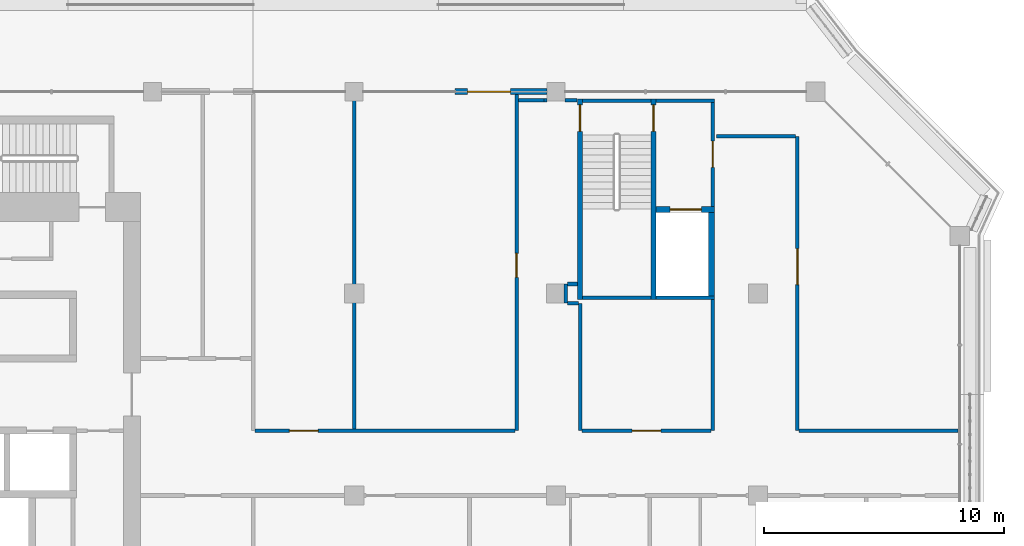
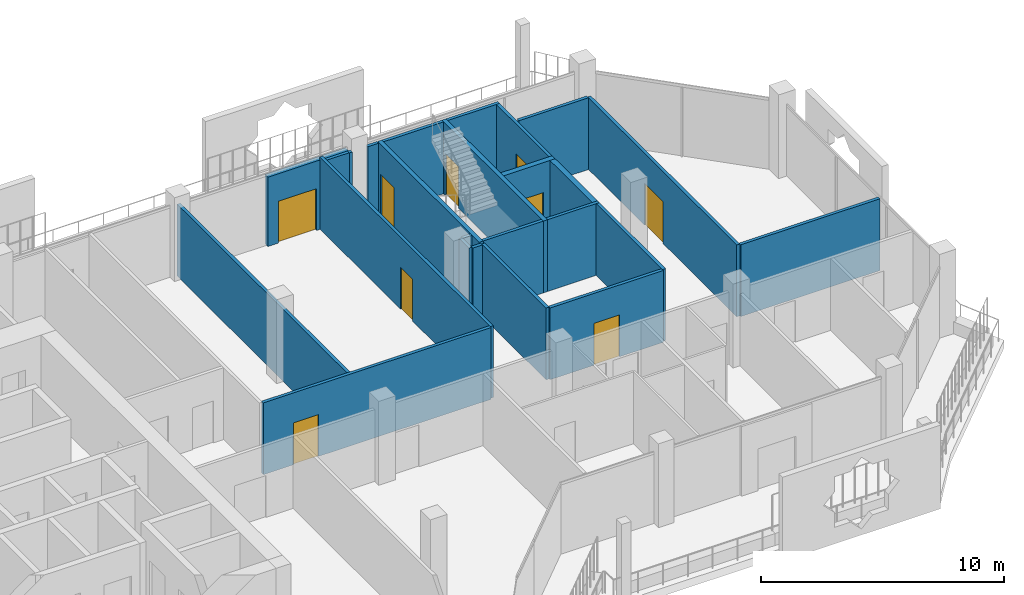
# One storey, part 13 of 21: 25 walls, 9 doors, 9 openings.
"""IFC4 building model written with IfcOpenShell, lengths in metres."""

from ifc_helpers import new_model, si_unit, direction, frame, frame_2d, origin, place, context, subcontext, project, spatial, rectangle, extrude, material, layer, layer_set, type_object, element, fill, save


model = new_model("IFC4")

# Units and contexts
model_context = context("Model", 3, precision=1e-05, world=origin(), true_north=direction((0.0, 1.0)))
body_context = subcontext(model_context, "Body", "Model", "MODEL_VIEW")
ifc_project = project(units=[si_unit("LENGTHUNIT", "METRE"), si_unit("AREAUNIT", "SQUARE_METRE"), si_unit("VOLUMEUNIT", "CUBIC_METRE"), si_unit("PLANEANGLEUNIT", "RADIAN"), si_unit("MASSUNIT", "GRAM", prefix="KILO")], contexts=[model_context])

# Site, building, storey
site_placement = place(None, origin())
site = spatial("IfcSite", under=ifc_project, at=site_placement, CompositionType="ELEMENT")
building_placement = place(site_placement, origin())
building = spatial("IfcBuilding", under=site, at=building_placement, Name="Kawkab Arch Medical Tower", CompositionType="ELEMENT")
storey_placement = place(building_placement, frame((0.0, 0.0, 315.39990234375)))
storey = spatial("IfcBuildingStorey", under=building, at=storey_placement, Name="L73", CompositionType="ELEMENT", Elevation=315.39990234375)

# Wall, opening, door
ifc_material_1 = material(Name="Gypsum board on steel studs", Category="steel")
ifc_layer_1 = layer(ifc_material_1, 0.14990234375)
ifc_layer_set_1 = layer_set([ifc_layer_1], Name="Gypsum board on steel studs")
wall_type_1 = type_object("IfcWallType", Name="Core room partition 150", PredefinedType="PARTITIONING", material=ifc_layer_set_1)
wall_1_placement = place(storey_placement, frame((48.52490234375, -4.77490234375, 0.0), z_axis=(0.0, 0.0, 1.0), x_axis=(0.0, 1.0, 0.0)))
wall_1 = element("IfcWall", 1, at=wall_1_placement, inside=storey, type_object=wall_type_1, Name="L73 core room partition", PredefinedType="PARTITIONING", context=body_context, shape_type="SweptSolid", body=[
    extrude(rectangle(XDim=4.324951171875, YDim=0.14990234375, at=frame_2d((2.16259765625, 0.0))), origin(), (0.0, 0.0, 1.0), 3.60009765625),
])
opening_1_placement = place(wall_1_placement, frame((1.625, 0.0, 0.0)))
opening_1 = element("IfcOpeningElement", 2, at=opening_1_placement, cuts=wall_1, Name="Opening FD", PredefinedType="OPENING", context=body_context, shape_type="SweptSolid", body=[
    extrude(rectangle(XDim=1.10009765625, YDim=2.10009765625, at=frame_2d((0.550048828125, 1.050048828125))), frame((0.0, 0.0849609375, 0.0), z_axis=(0.0, -1.0, 0.0), x_axis=(1.0, 0.0, 0.0)), (0.0, 0.0, 1.0), 0.169921875),
])
ifc_material_2 = material(Name="Hollow metal fire door leaf")
door_type_1 = type_object("IfcDoorType", Name="Firefighting lobby door 1100", OperationType="SINGLE_SWING_LEFT", PredefinedType="DOOR", material=ifc_material_2)
door_1_placement = place(opening_1_placement, origin())
door_1 = element("IfcDoor", 3, at=door_1_placement, inside=storey, type_object=door_type_1, Name="L73 Service lift lobby door SV1", OperationType="SINGLE_SWING_LEFT", OverallHeight=2.10009765625, OverallWidth=1.10009765625, PredefinedType="DOOR", context=body_context, shape_type="SweptSolid", body=[
    extrude(rectangle(XDim=1.10009765625, YDim=2.10009765625, at=frame_2d((0.550048828125, 1.050048828125))), frame((0.0, 0.02490234375, 0.0), z_axis=(0.0, -1.0, 0.0), x_axis=(1.0, 0.0, 0.0)), (0.0, 0.0, 1.0), 0.050048828125),
])
fill(opening_1, door_1)

ifc_material_3 = material(Name="Concrete C60/75", Category="concrete")
ifc_layer_2 = layer(ifc_material_3, 0.25)
ifc_layer_set_2 = layer_set([ifc_layer_2], Name="Concrete C60/75")
wall_type_2 = type_object("IfcWallType", Name="Core shear wall 250 C60/75", PredefinedType="SHEAR", material=ifc_layer_set_2)
wall_2_placement = place(storey_placement, frame((46.14990234375, -4.89990234375, 0.0), z_axis=(0.0, 0.0, 1.0), x_axis=(1.0, 0.0, 0.0)))
wall_2 = element("IfcWall", 4, at=wall_2_placement, inside=storey, type_object=wall_type_2, Name="L73 core shear wall", PredefinedType="SHEAR", context=body_context, shape_type="SweptSolid", body=[
    extrude(rectangle(XDim=2.4501953125, YDim=0.25, at=frame_2d((1.22509765625, 0.0))), origin(), (0.0, 0.0, 1.0), 3.60009765625),
])
opening_2_placement = place(wall_2_placement, frame((0.60009765625, 0.0, 0.0)))
opening_2 = element("IfcOpeningElement", 5, at=opening_2_placement, cuts=wall_2, Name="Opening LD2", PredefinedType="OPENING", context=body_context, shape_type="SweptSolid", body=[
    extrude(rectangle(XDim=1.300048828125, YDim=2.10009765625, at=frame_2d((0.64990234375, 1.050048828125))), frame((0.0, 0.135009765625, 0.0), z_axis=(0.0, -1.0, 0.0), x_axis=(1.0, 0.0, 0.0)), (0.0, 0.0, 1.0), 0.27001953125),
])
ifc_material_4 = material(Name="Stainless steel lift door leaf", Category="steel")
door_type_2 = type_object("IfcDoorType", Name="Lift landing door 1300", OperationType="DOUBLE_DOOR_SLIDING", PredefinedType="DOOR", material=ifc_material_4)
door_2_placement = place(opening_2_placement, origin())
door_2 = element("IfcDoor", 6, at=door_2_placement, inside=storey, type_object=door_type_2, Name="L73 Lift landing door SV1", OperationType="DOUBLE_DOOR_SLIDING", OverallHeight=2.10009765625, OverallWidth=1.300048828125, PredefinedType="DOOR", context=body_context, shape_type="SweptSolid", body=[
    extrude(rectangle(XDim=1.300048828125, YDim=2.10009765625, at=frame_2d((0.64990234375, 1.050048828125))), frame((0.0, 0.02490234375, 0.0), z_axis=(0.0, -1.0, 0.0), x_axis=(1.0, 0.0, 0.0)), (0.0, 0.0, 1.0), 0.050048828125),
])
fill(opening_2, door_2)

# Wall
wall_3_placement = place(storey_placement, frame((48.47509765625, -8.5, 0.0), z_axis=(0.0, 0.0, 1.0), x_axis=(0.0, 1.0, 0.0)))
element("IfcWall", 7, at=wall_3_placement, inside=storey, type_object=wall_type_2, Name="L73 core shear wall", PredefinedType="SHEAR", context=body_context, shape_type="SweptSolid", body=[
    extrude(rectangle(XDim=3.47509765625, YDim=0.25, at=frame_2d((1.737548828125, 0.0))), origin(), (0.0, 0.0, 1.0), 3.60009765625),
])

# Wall, opening, door
ifc_material_5 = material(Name="Bronze clad insulated wall panel")
ifc_layer_3 = layer(ifc_material_5, 0.25)
ifc_layer_set_3 = layer_set([ifc_layer_3], Name="Bronze clad insulated wall panel")
wall_type_3 = type_object("IfcWallType", Name="External wall bay 250", PredefinedType="SOLIDWALL", material=ifc_layer_set_3)
wall_4_placement = place(storey_placement, frame((41.625, 0.0, 0.0), z_axis=(0.0, 0.0, 1.0), x_axis=(-1.0, 0.0, 0.0)))
wall_4 = element("IfcWall", 8, at=wall_4_placement, inside=storey, type_object=wall_type_3, Name="External wall bay L73.R15.2.1", PredefinedType="SOLIDWALL", context=body_context, shape_type="SweptSolid", body=[
    extrude(rectangle(XDim=3.824951171875, YDim=0.25, at=frame_2d((1.91259765625, 0.0))), origin(), (0.0, 0.0, 1.0), 3.47998046875),
])
opening_3_placement = place(wall_4_placement, frame((1.512451171875, 0.0, 0.0)))
opening_3 = element("IfcOpeningElement", 9, at=opening_3_placement, cuts=wall_4, Name="Opening W68-701", PredefinedType="OPENING", context=body_context, shape_type="SweptSolid", body=[
    extrude(rectangle(XDim=1.800048828125, YDim=2.10009765625, at=frame_2d((0.89990234375, 1.050048828125))), frame((0.0, 0.135009765625, 0.0), z_axis=(0.0, -1.0, 0.0), x_axis=(1.0, 0.0, 0.0)), (0.0, 0.0, 1.0), 0.27001953125),
])
ifc_material_6 = material(Name="Bronze anodised aluminium door with tinted glass", Category="aluminium")
door_type_3 = type_object("IfcDoorType", Name="Double external door 1800 x 2100", OperationType="DOUBLE_DOOR_SINGLE_SWING", PredefinedType="DOOR", material=ifc_material_6)
door_3_placement = place(opening_3_placement, origin())
door_3 = element("IfcDoor", 10, at=door_3_placement, inside=storey, type_object=door_type_3, Name="External door L73.R15.2.1", OperationType="DOUBLE_DOOR_SINGLE_SWING", OverallHeight=2.10009765625, OverallWidth=1.800048828125, PredefinedType="DOOR", context=body_context, shape_type="SweptSolid", body=[
    extrude(rectangle(XDim=1.800048828125, YDim=2.10009765625, at=frame_2d((0.89990234375, 1.050048828125))), frame((0.0, 0.02490234375, 0.0), z_axis=(0.0, -1.0, 0.0), x_axis=(1.0, 0.0, 0.0)), (0.0, 0.0, 1.0), 0.050048828125),
])
fill(opening_3, door_3)

ifc_material_7 = material(Name="Gypsum board partition on steel studs, mineral wool", Category="steel")
ifc_layer_4 = layer(ifc_material_7, 0.14990234375)
ifc_layer_set_4 = layer_set([ifc_layer_4], Name="Gypsum board partition on steel studs, mineral wool")
wall_type_4 = type_object("IfcWallType", Name="Partition 150", PredefinedType="PARTITIONING", material=ifc_layer_set_4)
wall_5_placement = place(storey_placement, frame((29.47509765625, -14.10009765625, 0.0), z_axis=(0.0, 0.0, 1.0), x_axis=(1.0, 0.0, 0.0)))
wall_5 = element("IfcWall", 11, at=wall_5_placement, inside=storey, type_object=wall_type_4, Name="Partition 150 w015", PredefinedType="PARTITIONING", context=body_context, shape_type="SweptSolid", body=[
    extrude(rectangle(XDim=10.806884765625, YDim=0.14990234375, at=frame_2d((5.4033203125, 0.0))), origin(), (0.0, 0.0, 1.0), 3.60009765625),
])
opening_4_placement = place(wall_5_placement, frame((1.425048828125, 0.0, 0.0)))
opening_4 = element("IfcOpeningElement", 12, at=opening_4_placement, cuts=wall_5, Name="Opening W68-021", PredefinedType="OPENING", context=body_context, shape_type="SweptSolid", body=[
    extrude(rectangle(XDim=1.199951171875, YDim=2.10009765625, at=frame_2d((0.60009765625, 1.050048828125))), frame((0.0, 0.0849609375, 0.0), z_axis=(0.0, -1.0, 0.0), x_axis=(1.0, 0.0, 0.0)), (0.0, 0.0, 1.0), 0.169921875),
])
ifc_material_8 = material(Name="Hollow metal door leaf")
door_type_4 = type_object("IfcDoorType", Name="Single door 1200x2100 FD30S", OperationType="NOTDEFINED", PredefinedType="DOOR", material=ifc_material_8)
door_4_placement = place(opening_4_placement, origin())
door_4 = element("IfcDoor", 13, at=door_4_placement, inside=storey, type_object=door_type_4, Name="Door W68-021", OperationType="SINGLE_SWING_LEFT", OverallHeight=2.10009765625, OverallWidth=1.199951171875, PredefinedType="DOOR", context=body_context, shape_type="SweptSolid", body=[
    extrude(rectangle(XDim=1.199951171875, YDim=2.10009765625, at=frame_2d((0.60009765625, 1.050048828125))), frame((0.0, 0.02490234375, 0.0), z_axis=(0.0, -1.0, 0.0), x_axis=(1.0, 0.0, 0.0)), (0.0, 0.0, 1.0), 0.050048828125),
])
fill(opening_4, door_4)

wall_6_placement = place(storey_placement, frame((43.074951171875, -14.10009765625, 0.0), z_axis=(0.0, 0.0, 1.0), x_axis=(1.0, 0.0, 0.0)))
wall_6 = element("IfcWall", 14, at=wall_6_placement, inside=storey, type_object=wall_type_4, Name="Partition 150 w016", PredefinedType="PARTITIONING", context=body_context, shape_type="SweptSolid", body=[
    extrude(rectangle(XDim=5.375, YDim=0.14990234375, at=frame_2d((2.6875, 0.0))), origin(), (0.0, 0.0, 1.0), 3.60009765625),
])
opening_5_placement = place(wall_6_placement, frame((2.0869140625, 0.0, 0.0)))
opening_5 = element("IfcOpeningElement", 15, at=opening_5_placement, cuts=wall_6, Name="Opening W68-014", PredefinedType="OPENING", context=body_context, shape_type="SweptSolid", body=[
    extrude(rectangle(XDim=1.199951171875, YDim=2.10009765625, at=frame_2d((0.60009765625, 1.050048828125))), frame((0.0, 0.0849609375, 0.0), z_axis=(0.0, -1.0, 0.0), x_axis=(1.0, 0.0, 0.0)), (0.0, 0.0, 1.0), 0.169921875),
])
door_5_placement = place(opening_5_placement, origin())
door_5 = element("IfcDoor", 16, at=door_5_placement, inside=storey, type_object=door_type_4, Name="Door W68-014", OperationType="SINGLE_SWING_LEFT", OverallHeight=2.10009765625, OverallWidth=1.199951171875, PredefinedType="DOOR", context=body_context, shape_type="SweptSolid", body=[
    extrude(rectangle(XDim=1.199951171875, YDim=2.10009765625, at=frame_2d((0.60009765625, 1.050048828125))), frame((0.0, 0.02490234375, 0.0), z_axis=(0.0, -1.0, 0.0), x_axis=(1.0, 0.0, 0.0)), (0.0, 0.0, 1.0), 0.050048828125),
])
fill(opening_5, door_5)

# Walls
wall_7_placement = place(storey_placement, frame((52.117919921875, -14.10009765625, 0.0), z_axis=(0.0, 0.0, 1.0), x_axis=(1.0, 0.0, 0.0)))
element("IfcWall", 17, at=wall_7_placement, inside=storey, type_object=wall_type_4, Name="Partition 150 w017", PredefinedType="PARTITIONING", context=body_context, shape_type="SweptSolid", body=[
    extrude(rectangle(XDim=6.60205078125, YDim=0.14990234375, at=frame_2d((3.301025390625, 0.0))), origin(), (0.0, 0.0, 1.0), 3.60009765625),
])
wall_8_placement = place(storey_placement, frame((42.47509765625, -8.800048828125, 0.0), z_axis=(0.0, 0.0, 1.0), x_axis=(1.0, 0.0, 0.0)))
element("IfcWall", 18, at=wall_8_placement, inside=storey, type_object=wall_type_4, Name="Partition 150 w019", PredefinedType="PARTITIONING", context=body_context, shape_type="SweptSolid", body=[
    extrude(rectangle(XDim=0.447998046875, YDim=0.14990234375, at=frame_2d((0.22412109375, 0.0))), origin(), (0.0, 0.0, 1.0), 3.60009765625),
])
wall_9_placement = place(storey_placement, frame((42.47607421875, -8.0, 0.0), z_axis=(0.0, 0.0, 1.0), x_axis=(1.0, 0.0, 0.0)))
element("IfcWall", 19, at=wall_9_placement, inside=storey, type_object=wall_type_4, Name="Partition 150 w020", PredefinedType="PARTITIONING", context=body_context, shape_type="SweptSolid", body=[
    extrude(rectangle(XDim=0.423828125, YDim=0.14990234375, at=frame_2d((0.2119140625, 0.0))), origin(), (0.0, 0.0, 1.0), 3.60009765625),
])
wall_10_placement = place(storey_placement, frame((48.679931640625, -1.85009765625, 0.0), z_axis=(0.0, 0.0, 1.0), x_axis=(1.0, 0.0, 0.0)))
element("IfcWall", 20, at=wall_10_placement, inside=storey, type_object=wall_type_4, Name="Partition 150 w021", PredefinedType="PARTITIONING", context=body_context, shape_type="SweptSolid", body=[
    extrude(rectangle(XDim=3.287109375, YDim=0.14990234375, at=frame_2d((1.6435546875, 0.0))), origin(), (0.0, 0.0, 1.0), 3.60009765625),
])
wall_11_placement = place(storey_placement, frame((41.488037109375, -0.362060546875, 0.0), z_axis=(0.0, 0.0, 1.0), x_axis=(1.0, 0.0, 0.0)))
element("IfcWall", 21, at=wall_11_placement, inside=storey, type_object=wall_type_4, Name="Partition 150 w022", PredefinedType="PARTITIONING", context=body_context, shape_type="SweptSolid", body=[
    extrude(rectangle(XDim=0.136962890625, YDim=0.14990234375, at=frame_2d((0.068359375, 0.0))), origin(), (0.0, 0.0, 1.0), 3.60009765625),
])
wall_12_placement = place(storey_placement, frame((42.375, -0.362060546875, 0.0), z_axis=(0.0, 0.0, 1.0), x_axis=(1.0, 0.0, 0.0)))
element("IfcWall", 22, at=wall_12_placement, inside=storey, type_object=wall_type_4, Name="Partition 150 w023", PredefinedType="PARTITIONING", context=body_context, shape_type="SweptSolid", body=[
    extrude(rectangle(XDim=0.4951171875, YDim=0.14990234375, at=frame_2d((0.24755859375, 0.0))), origin(), (0.0, 0.0, 1.0), 3.60009765625),
])
wall_13_placement = place(storey_placement, frame((40.431884765625, -0.35009765625, 0.0), z_axis=(0.0, 0.0, 1.0), x_axis=(1.0, 0.0, 0.0)))
element("IfcWall", 23, at=wall_13_placement, inside=storey, type_object=wall_type_4, Name="Partition 150 w024", PredefinedType="PARTITIONING", context=body_context, shape_type="SweptSolid", body=[
    extrude(rectangle(XDim=1.05615234375, YDim=0.14990234375, at=frame_2d((0.528076171875, 0.0))), origin(), (0.0, 0.0, 1.0), 3.60009765625),
])
wall_14_placement = place(storey_placement, frame((33.60009765625, -14.02490234375, 0.0), z_axis=(0.0, 0.0, 1.0), x_axis=(0.0, 1.0, 0.0)))
element("IfcWall", 24, at=wall_14_placement, inside=storey, type_object=wall_type_4, Name="Partition 150 w034", PredefinedType="PARTITIONING", context=body_context, shape_type="SweptSolid", body=[
    extrude(rectangle(XDim=13.94482421875, YDim=0.14990234375, at=frame_2d((6.972412109375, 0.0))), origin(), (0.0, 0.0, 1.0), 3.60009765625),
])

# Wall, opening, door
wall_15_placement = place(storey_placement, frame((40.35693359375, -14.10009765625, 0.0), z_axis=(0.0, 0.0, 1.0), x_axis=(0.0, 1.0, 0.0)))
wall_15 = element("IfcWall", 25, at=wall_15_placement, inside=storey, type_object=wall_type_4, Name="Partition 150 w036", PredefinedType="PARTITIONING", context=body_context, shape_type="SweptSolid", body=[
    extrude(rectangle(XDim=14.02001953125, YDim=0.14990234375, at=frame_2d((7.010009765625, 0.0))), origin(), (0.0, 0.0, 1.0), 3.60009765625),
])
opening_6_placement = place(wall_15_placement, frame((6.375, 0.0, 0.0)))
opening_6 = element("IfcOpeningElement", 26, at=opening_6_placement, cuts=wall_15, Name="Opening W68-010", PredefinedType="OPENING", context=body_context, shape_type="SweptSolid", body=[
    extrude(rectangle(XDim=1.0, YDim=2.10009765625, at=frame_2d((0.5, 1.050048828125))), frame((0.0, 0.0849609375, 0.0), z_axis=(0.0, -1.0, 0.0), x_axis=(1.0, 0.0, 0.0)), (0.0, 0.0, 1.0), 0.169921875),
])
ifc_material_9 = material(Name="Hollow metal door leaf")
door_type_5 = type_object("IfcDoorType", Name="Single door 1000x2100 FD30S", OperationType="NOTDEFINED", PredefinedType="DOOR", material=ifc_material_9)
door_6_placement = place(opening_6_placement, origin())
door_6 = element("IfcDoor", 27, at=door_6_placement, inside=storey, type_object=door_type_5, Name="Door W68-010", OperationType="SINGLE_SWING_RIGHT", OverallHeight=2.10009765625, OverallWidth=1.0, PredefinedType="DOOR", context=body_context, shape_type="SweptSolid", body=[
    extrude(rectangle(XDim=1.0, YDim=2.10009765625, at=frame_2d((0.5, 1.050048828125))), frame((0.0, 0.02490234375, 0.0), z_axis=(0.0, -1.0, 0.0), x_axis=(1.0, 0.0, 0.0)), (0.0, 0.0, 1.0), 0.050048828125),
])
fill(opening_6, door_6)

# Walls
wall_16_placement = place(storey_placement, frame((42.39990234375, -8.800048828125, 0.0), z_axis=(0.0, 0.0, 1.0), x_axis=(0.0, 1.0, 0.0)))
element("IfcWall", 28, at=wall_16_placement, inside=storey, type_object=wall_type_4, Name="Partition 150 w037", PredefinedType="PARTITIONING", context=body_context, shape_type="SweptSolid", body=[
    extrude(rectangle(XDim=0.799072265625, YDim=0.14990234375, at=frame_2d((0.3994140625, 0.0))), origin(), (0.0, 0.0, 1.0), 3.60009765625),
])
wall_17_placement = place(storey_placement, frame((43.0, -14.10009765625, 0.0), z_axis=(0.0, 0.0, 1.0), x_axis=(0.0, 1.0, 0.0)))
element("IfcWall", 29, at=wall_17_placement, inside=storey, type_object=wall_type_4, Name="Partition 150 w038", PredefinedType="PARTITIONING", context=body_context, shape_type="SweptSolid", body=[
    extrude(rectangle(XDim=5.298095703125, YDim=0.14990234375, at=frame_2d((2.64892578125, 0.0))), origin(), (0.0, 0.0, 1.0), 3.60009765625),
])
wall_18_placement = place(storey_placement, frame((48.52490234375, -14.10009765625, 0.0), z_axis=(0.0, 0.0, 1.0), x_axis=(0.0, 1.0, 0.0)))
element("IfcWall", 30, at=wall_18_placement, inside=storey, type_object=wall_type_4, Name="Partition 150 w040", PredefinedType="PARTITIONING", context=body_context, shape_type="SweptSolid", body=[
    extrude(rectangle(XDim=5.4501953125, YDim=0.14990234375, at=frame_2d((2.72509765625, 0.0))), origin(), (0.0, 0.0, 1.0), 3.60009765625),
])

# Wall, opening, door
wall_19_placement = place(storey_placement, frame((52.04296875, -14.10009765625, 0.0), z_axis=(0.0, 0.0, 1.0), x_axis=(0.0, 1.0, 0.0)))
wall_19 = element("IfcWall", 31, at=wall_19_placement, inside=storey, type_object=wall_type_4, Name="Partition 150 w042", PredefinedType="PARTITIONING", context=body_context, shape_type="SweptSolid", body=[
    extrude(rectangle(XDim=12.248046875, YDim=0.14990234375, at=frame_2d((6.1240234375, 0.0))), origin(), (0.0, 0.0, 1.0), 3.60009765625),
])
opening_7_placement = place(wall_19_placement, frame((6.073974609375, 0.0, 0.0)))
opening_7 = element("IfcOpeningElement", 32, at=opening_7_placement, cuts=wall_19, Name="Opening W68-002", PredefinedType="OPENING", context=body_context, shape_type="SweptSolid", body=[
    extrude(rectangle(XDim=1.5, YDim=2.10009765625, at=frame_2d((0.75, 1.050048828125))), frame((0.0, 0.0849609375, 0.0), z_axis=(0.0, -1.0, 0.0), x_axis=(1.0, 0.0, 0.0)), (0.0, 0.0, 1.0), 0.169921875),
])
ifc_material_10 = material(Name="Hollow metal door leaf")
door_type_6 = type_object("IfcDoorType", Name="Double door 1500x2100 FD30S", OperationType="NOTDEFINED", PredefinedType="DOOR", material=ifc_material_10)
door_7_placement = place(opening_7_placement, origin())
door_7 = element("IfcDoor", 33, at=door_7_placement, inside=storey, type_object=door_type_6, Name="Door W68-002", OperationType="DOUBLE_DOOR_SINGLE_SWING", OverallHeight=2.10009765625, OverallWidth=1.5, PredefinedType="DOOR", context=body_context, shape_type="SweptSolid", body=[
    extrude(rectangle(XDim=1.5, YDim=2.10009765625, at=frame_2d((0.75, 1.050048828125))), frame((0.0, 0.02490234375, 0.0), z_axis=(0.0, -1.0, 0.0), x_axis=(1.0, 0.0, 0.0)), (0.0, 0.0, 1.0), 0.050048828125),
])
fill(opening_7, door_7)

# Walls
ifc_material_11 = material(Name="Concrete C50/60", Category="concrete")
ifc_layer_5 = layer(ifc_material_11, 0.14990234375)
ifc_layer_set_5 = layer_set([ifc_layer_5], Name="Concrete C50/60")
wall_type_5 = type_object("IfcWallType", Name="Stair enclosure wall 150 C50/60", PredefinedType="SHEAR", material=ifc_layer_set_5)
wall_20_placement = place(storey_placement, frame((43.10009765625, -0.375, 0.0), z_axis=(0.0, 0.0, 1.0), x_axis=(1.0, 0.0, 0.0)))
element("IfcWall", 34, at=wall_20_placement, inside=storey, type_object=wall_type_5, Name="L73 stair enclosure wall", PredefinedType="SHEAR", context=body_context, shape_type="SweptSolid", body=[
    extrude(rectangle(XDim=2.849853515625, YDim=0.14990234375, at=frame_2d((1.4248046875, 0.0))), origin(), (0.0, 0.0, 1.0), 3.60009765625),
])
wall_21_placement = place(storey_placement, frame((46.14990234375, -0.375, 0.0), z_axis=(0.0, 0.0, 1.0), x_axis=(1.0, 0.0, 0.0)))
element("IfcWall", 35, at=wall_21_placement, inside=storey, type_object=wall_type_5, Name="L73 stair enclosure wall", PredefinedType="SHEAR", context=body_context, shape_type="SweptSolid", body=[
    extrude(rectangle(XDim=2.4501953125, YDim=0.14990234375, at=frame_2d((1.22509765625, 0.0))), origin(), (0.0, 0.0, 1.0), 3.60009765625),
])
wall_22_placement = place(storey_placement, frame((43.10009765625, -8.574951171875, 0.0), z_axis=(0.0, 0.0, 1.0), x_axis=(1.0, 0.0, 0.0)))
element("IfcWall", 36, at=wall_22_placement, inside=storey, type_object=wall_type_5, Name="L73 stair enclosure wall", PredefinedType="SHEAR", context=body_context, shape_type="SweptSolid", body=[
    extrude(rectangle(XDim=2.849853515625, YDim=0.14990234375, at=frame_2d((1.4248046875, 0.0))), origin(), (0.0, 0.0, 1.0), 3.60009765625),
])
wall_23_placement = place(storey_placement, frame((46.14990234375, -8.574951171875, 0.0), z_axis=(0.0, 0.0, 1.0), x_axis=(1.0, 0.0, 0.0)))
element("IfcWall", 37, at=wall_23_placement, inside=storey, type_object=wall_type_5, Name="L73 stair enclosure wall", PredefinedType="SHEAR", context=body_context, shape_type="SweptSolid", body=[
    extrude(rectangle(XDim=2.4501953125, YDim=0.14990234375, at=frame_2d((1.22509765625, 0.0))), origin(), (0.0, 0.0, 1.0), 3.60009765625),
])

# Wall, opening, door
ifc_material_12 = material(Name="Concrete C50/60", Category="concrete")
ifc_layer_6 = layer(ifc_material_12, 0.199951171875)
ifc_layer_set_6 = layer_set([ifc_layer_6], Name="Concrete C50/60")
wall_type_6 = type_object("IfcWallType", Name="Stair enclosure wall 200 C50/60", PredefinedType="SHEAR", material=ifc_layer_set_6)
wall_24_placement = place(storey_placement, frame((43.0, -8.64990234375, 0.0), z_axis=(0.0, 0.0, 1.0), x_axis=(0.0, 1.0, 0.0)))
wall_24 = element("IfcWall", 38, at=wall_24_placement, inside=storey, type_object=wall_type_6, Name="L73 stair enclosure wall", PredefinedType="SHEAR", context=body_context, shape_type="SweptSolid", body=[
    extrude(rectangle(XDim=8.349853515625, YDim=0.199951171875, at=frame_2d((4.1748046875, 0.0))), origin(), (0.0, 0.0, 1.0), 3.60009765625),
])
opening_8_placement = place(wall_24_placement, frame((7.0, 0.0, 0.0)))
opening_8 = element("IfcOpeningElement", 39, at=opening_8_placement, cuts=wall_24, Name="Opening SD", PredefinedType="OPENING", context=body_context, shape_type="SweptSolid", body=[
    extrude(rectangle(XDim=1.10009765625, YDim=2.10009765625, at=frame_2d((0.550048828125, 1.050048828125))), frame((0.0, 0.10986328125, 0.0), z_axis=(0.0, -1.0, 0.0), x_axis=(1.0, 0.0, 0.0)), (0.0, 0.0, 1.0), 0.219970703125),
])
ifc_material_13 = material(Name="Hollow metal fire door leaf")
door_type_7 = type_object("IfcDoorType", Name="Exit stair door 1100", OperationType="SINGLE_SWING_LEFT", PredefinedType="DOOR", material=ifc_material_13)
door_8_placement = place(opening_8_placement, frame((1.10009765625, 0.0, 0.0), z_axis=(0.0, 0.0, 1.0), x_axis=(-1.0, 0.0, 0.0)))
door_8 = element("IfcDoor", 40, at=door_8_placement, inside=storey, type_object=door_type_7, Name="L73 Exit stair ST5 door", OperationType="SINGLE_SWING_LEFT", OverallHeight=2.10009765625, OverallWidth=1.10009765625, PredefinedType="DOOR", context=body_context, shape_type="SweptSolid", body=[
    extrude(rectangle(XDim=1.10009765625, YDim=2.10009765625, at=frame_2d((0.550048828125, 1.050048828125))), frame((0.0, 0.02490234375, 0.0), z_axis=(0.0, -1.0, 0.0), x_axis=(1.0, 0.0, 0.0)), (0.0, 0.0, 1.0), 0.050048828125),
])
fill(opening_8, door_8)

wall_25_placement = place(storey_placement, frame((46.050048828125, -8.64990234375, 0.0), z_axis=(0.0, 0.0, 1.0), x_axis=(0.0, 1.0, 0.0)))
wall_25 = element("IfcWall", 41, at=wall_25_placement, inside=storey, type_object=wall_type_6, Name="L73 stair enclosure wall", PredefinedType="SHEAR", context=body_context, shape_type="SweptSolid", body=[
    extrude(rectangle(XDim=8.349853515625, YDim=0.199951171875, at=frame_2d((4.1748046875, 0.0))), origin(), (0.0, 0.0, 1.0), 3.60009765625),
])
opening_9_placement = place(wall_25_placement, frame((7.0, 0.0, 0.0)))
opening_9 = element("IfcOpeningElement", 42, at=opening_9_placement, cuts=wall_25, Name="Opening SD", PredefinedType="OPENING", context=body_context, shape_type="SweptSolid", body=[
    extrude(rectangle(XDim=1.10009765625, YDim=2.10009765625, at=frame_2d((0.550048828125, 1.050048828125))), frame((0.0, 0.10986328125, 0.0), z_axis=(0.0, -1.0, 0.0), x_axis=(1.0, 0.0, 0.0)), (0.0, 0.0, 1.0), 0.219970703125),
])
door_9_placement = place(opening_9_placement, origin())
door_9 = element("IfcDoor", 43, at=door_9_placement, inside=storey, type_object=door_type_7, Name="L73 Exit stair ST5 lobby door", OperationType="SINGLE_SWING_LEFT", OverallHeight=2.10009765625, OverallWidth=1.10009765625, PredefinedType="DOOR", context=body_context, shape_type="SweptSolid", body=[
    extrude(rectangle(XDim=1.10009765625, YDim=2.10009765625, at=frame_2d((0.550048828125, 1.050048828125))), frame((0.0, 0.02490234375, 0.0), z_axis=(0.0, -1.0, 0.0), x_axis=(1.0, 0.0, 0.0)), (0.0, 0.0, 1.0), 0.050048828125),
])
fill(opening_9, door_9)

save(model, "model.ifc")
